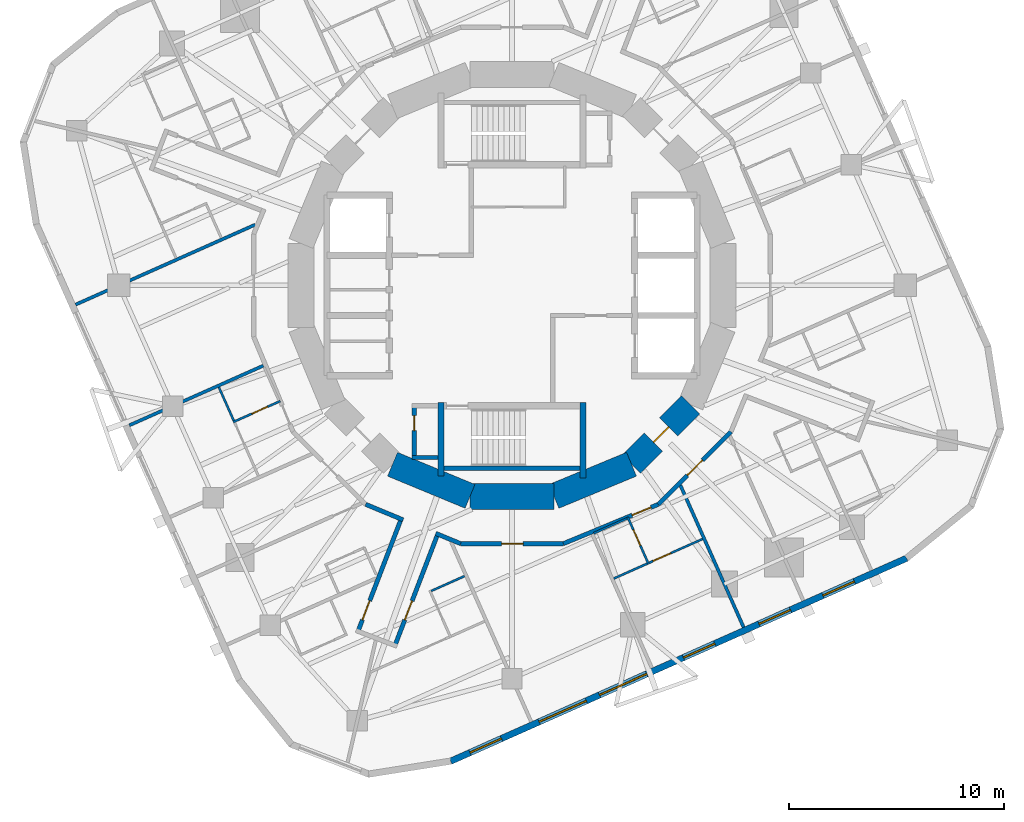
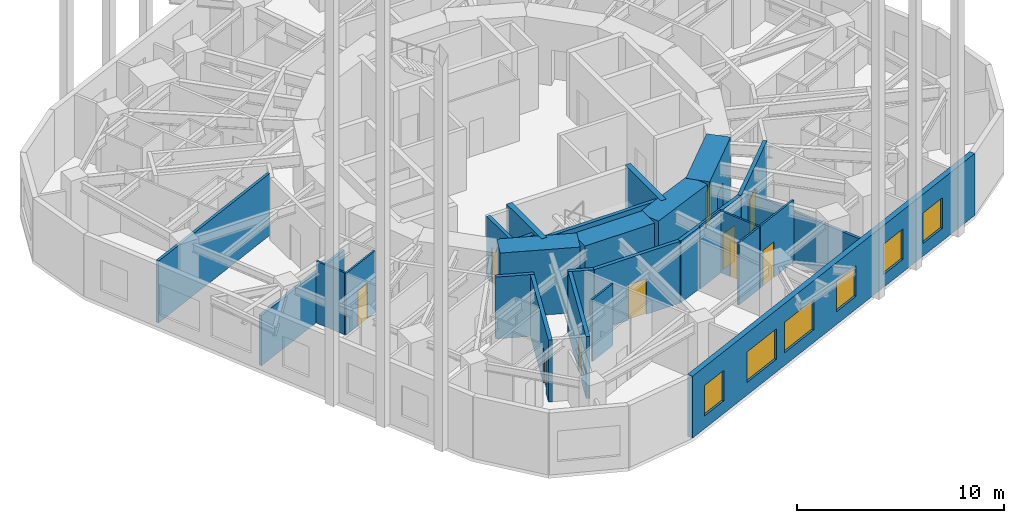
# One storey, part 5 of 11: 27 walls, 10 doors, 6 windows, 16 openings.
"""IFC4 building model written with IfcOpenShell, lengths in metres."""

import ifcopenshell
import ifcopenshell.guid

model = None  # the IFC model being written
_history = None  # IfcOwnerHistory: only IFC2X3 demands one
_inside = {}  # id of a spatial element -> (the spatial element, [elements in it])
_under = {}  # id of a project, library or spatial element -> (it, [spatial elements below it])
_declared = {}  # id of a project -> (the project, [libraries it declares])
_typed = {}  # id of a type object -> (the type object, [elements of that type])
_made_of = {}  # id of a material, layer set ... -> (it, [elements and type objects made of it])


def new_model(schema):
    """Start an empty IFC model of exactly this schema.

    Asked for "IFC4X3", IfcOpenShell would pick the latest addendum, in which some entities
    have other attributes; the version numbers below select the first issue.
    IFC2X3 requires an IfcOwnerHistory on every rooted entity: one is made here for all.
    """
    global model, _history
    if schema == "IFC4X3":
        model = ifcopenshell.file(schema_version=(4, 3, 0, 0))
    else:
        model = ifcopenshell.file(schema=schema)
    _inside.clear()
    _under.clear()
    _declared.clear()
    _typed.clear()
    _made_of.clear()
    _history = None
    if model.schema == "IFC2X3":
        org = make("IfcOrganization", Name="unknown")
        user = make(
            "IfcPersonAndOrganization",
            ThePerson=make("IfcPerson", FamilyName="unknown"),
            TheOrganization=org,
        )
        app = make(
            "IfcApplication",
            ApplicationDeveloper=org,
            Version="unknown",
            ApplicationFullName="unknown",
            ApplicationIdentifier="unknown",
        )
        _history = make(
            "IfcOwnerHistory",
            OwningUser=user,
            OwningApplication=app,
            ChangeAction="ADDED",
            CreationDate=0,
        )
    return model


def make(cls, **values):
    """One entity of the class cls with the attributes given. An attribute that is None is left unset."""
    return model.create_entity(
        cls, **{name: value for name, value in values.items() if value is not None}
    )


def rooted(cls, **values):
    """An entity with a GlobalId (a new one), such as an element, a storey or a relation."""
    return make(cls, GlobalId=ifcopenshell.guid.new(), OwnerHistory=_history, **values)


def si_unit(unit_type, name, prefix=None):
    """IfcSIUnit, for example si_unit("LENGTHUNIT", "METRE", prefix="MILLI")."""
    return make("IfcSIUnit", UnitType=unit_type, Prefix=prefix, Name=name)


def assignment(units):
    """IfcUnitAssignment: the units of a project."""
    return None if units is None else make("IfcUnitAssignment", Units=units)


def point(xyz):
    """IfcCartesianPoint."""
    return None if xyz is None else make("IfcCartesianPoint", Coordinates=xyz)


def direction(xyz):
    """IfcDirection."""
    return None if xyz is None else make("IfcDirection", DirectionRatios=xyz)


def frame(location, z_axis=None, x_axis=None):
    """IfcAxis2Placement3D, a coordinate frame: its origin and axes. An axis left out is left unset."""
    return make(
        "IfcAxis2Placement3D",
        Location=point(location),
        Axis=direction(z_axis),
        RefDirection=direction(x_axis),
    )


def frame_2d(location, x_axis=None):
    """IfcAxis2Placement2D, a coordinate frame in the plane: its origin and x axis."""
    return make(
        "IfcAxis2Placement2D", Location=point(location), RefDirection=direction(x_axis)
    )


def origin():
    """The frame at (0, 0, 0) with its axes left unset."""
    return frame((0.0, 0.0, 0.0))


def place(relative_to, where):
    """IfcLocalPlacement: puts the frame where relative to a parent placement (None: the world)."""
    return make(
        "IfcLocalPlacement", PlacementRelTo=relative_to, RelativePlacement=where
    )


def context(
    kind, dimensions, precision=None, world=None, true_north=None, identifier=None
):
    """IfcGeometricRepresentationContext, for example the 3D "Model" context."""
    return make(
        "IfcGeometricRepresentationContext",
        ContextIdentifier=identifier,
        ContextType=kind,
        CoordinateSpaceDimension=dimensions,
        Precision=precision,
        WorldCoordinateSystem=world,
        TrueNorth=true_north,
    )


def subcontext(parent, identifier, kind, view, scale=None):
    """IfcGeometricRepresentationSubContext, for example "Body" below "Model"."""
    return make(
        "IfcGeometricRepresentationSubContext",
        ContextIdentifier=identifier,
        ContextType=kind,
        ParentContext=parent,
        TargetScale=scale,
        TargetView=view,
    )


def project(units=None, contexts=None):
    """IfcProject with its units and contexts."""
    return rooted(
        "IfcProject",
        Name="project",
        RepresentationContexts=contexts,
        UnitsInContext=assignment(units),
    )


def spatial(cls, under=None, at=None, **own):
    """A site, building, storey or space (cls), placed at a placement, below another one or the project."""
    s = rooted(cls, ObjectPlacement=at, **own)
    if under is not None:
        _under.setdefault(under.id(), (under, []))[1].append(s)
    return s


def profile(cls, at=None, kind="AREA", **sizes):
    """A parametric profile (cls). Its sizes go by their IFC names, for example OverallWidth=200.0."""
    return make(cls, ProfileType=kind, Position=at, **sizes)


def rectangle(**sizes):
    """IfcRectangleProfileDef."""
    return profile("IfcRectangleProfileDef", **sizes)


def extrude(swept, where, along, depth):
    """IfcExtrudedAreaSolid: the profile swept, set in the frame where, extruded along a direction by depth."""
    return make(
        "IfcExtrudedAreaSolid",
        SweptArea=swept,
        Position=where,
        ExtrudedDirection=direction(along),
        Depth=depth,
    )


def shape(context_of_items, identifier, shape_type, items):
    """IfcShapeRepresentation: the items that make up one representation, for example the "Body"."""
    return make(
        "IfcShapeRepresentation",
        ContextOfItems=context_of_items,
        RepresentationIdentifier=identifier,
        RepresentationType=shape_type,
        Items=items,
    )


def material(Name=None, Category=None):
    """IfcMaterial."""
    return make("IfcMaterial", Name=Name, Category=Category)


def layer(
    of_material, thickness, ventilated=None, Name=None, Category=None, Priority=None
):
    """IfcMaterialLayer: one layer of a wall or slab, of a material (None: an air gap)."""
    return make(
        "IfcMaterialLayer",
        Material=of_material,
        LayerThickness=thickness,
        IsVentilated=ventilated,
        Name=Name,
        Category=Category,
        Priority=Priority,
    )


def layer_set(layers, Name=None):
    """IfcMaterialLayerSet."""
    return make("IfcMaterialLayerSet", MaterialLayers=layers, LayerSetName=Name)


def made_of(thing, what):
    """Note that an element or type object is made of a material, layer set ...; save() writes the relation."""
    if what is not None:
        _made_of.setdefault(what.id(), (what, []))[1].append(thing)
    return thing


def type_object(cls, material=None, **own):
    """A type object (cls), such as IfcWallType, which elements share."""
    return made_of(rooted(cls, **own), material)


def element(
    cls,
    number,
    at=None,
    inside=None,
    cuts=None,
    type_object=None,
    material=None,
    context=None,
    identifier="Body",
    shape_type=None,
    held_by="IfcProductDefinitionShape",
    body=None,
    shapes=None,
    **own,
):
    """One element of the class cls, such as IfcWall. Its Tag is "e" and its number.

    at: its placement. inside: the storey or other place that contains it. cuts: it is an
    opening in that element (IfcRelVoidsElement). A single representation is given by context,
    identifier, shape_type and body (its items); several are given by shapes. held_by: the class
    of the entity that holds the representations. save() writes the other relations.
    """
    e = rooted(cls, Tag="e%d" % number, ObjectPlacement=at, **own)
    if body is not None:
        shapes = [shape(context, identifier, shape_type, body)]
    if shapes is not None:
        e.Representation = make(held_by, Representations=shapes)
    if inside is not None:
        _inside.setdefault(inside.id(), (inside, []))[1].append(e)
    if cuts is not None:
        rooted(
            "IfcRelVoidsElement", RelatingBuildingElement=cuts, RelatedOpeningElement=e
        )
    if type_object is not None:
        _typed.setdefault(type_object.id(), (type_object, []))[1].append(e)
    return made_of(e, material)


def fill(opening, filler):
    """IfcRelFillsElement: the door or window that sits in an opening."""
    return rooted(
        "IfcRelFillsElement",
        RelatingOpeningElement=opening,
        RelatedBuildingElement=filler,
    )


def aggregate(whole, parts):
    """IfcRelAggregates: a whole, such as a stair, and the parts it consists of."""
    return rooted("IfcRelAggregates", RelatingObject=whole, RelatedObjects=parts)


def save(model, path):
    """Write the relations noted so far, then the file.

    IfcRelAggregates (storeys below a building ...), IfcRelContainedInSpatialStructure (elements
    in a storey), IfcRelDefinesByType, IfcRelAssociatesMaterial and IfcRelDeclares: one each for
    every whole, place, type object, material and project.
    """
    for whole, parts in _under.values():
        aggregate(whole, parts)
    for where, things in _inside.values():
        rooted(
            "IfcRelContainedInSpatialStructure",
            RelatedElements=things,
            RelatingStructure=where,
        )
    for kind, things in _typed.values():
        rooted("IfcRelDefinesByType", RelatedObjects=things, RelatingType=kind)
    for what, things in _made_of.values():
        rooted("IfcRelAssociatesMaterial", RelatedObjects=things, RelatingMaterial=what)
    for by, libraries in _declared.values():
        rooted("IfcRelDeclares", RelatingContext=by, RelatedDefinitions=libraries)
    model.write(path)


model = new_model("IFC4")

# Units and contexts
model_context = context("Model", 3, precision=1e-05, world=origin(), true_north=direction((0.0, 1.0)))
body_context = subcontext(model_context, "Body", "Model", "MODEL_VIEW")
ifc_project = project(units=[si_unit("LENGTHUNIT", "METRE"), si_unit("AREAUNIT", "SQUARE_METRE"), si_unit("VOLUMEUNIT", "CUBIC_METRE"), si_unit("PLANEANGLEUNIT", "RADIAN"), si_unit("MASSUNIT", "GRAM", prefix="KILO")], contexts=[model_context])

# Site, building, storey
site_placement = place(None, origin())
site = spatial("IfcSite", under=ifc_project, at=site_placement, CompositionType="ELEMENT")
building_placement = place(site_placement, origin())
building = spatial("IfcBuilding", under=site, at=building_placement, Name="Nakasero Lantern House", CompositionType="ELEMENT")
storey_placement = place(building_placement, frame((0.0, 0.0, 182.449951171875)))
storey = spatial("IfcBuildingStorey", under=building, at=storey_placement, Name="L44", CompositionType="ELEMENT", Elevation=182.449951171875)

# Walls
ifc_material_1 = material(Name="Concrete C50/60", Category="concrete")
ifc_layer_1 = layer(ifc_material_1, 0.300048828125)
ifc_layer_set_1 = layer_set([ifc_layer_1], Name="Core inner wall 300")
wall_type_1 = type_object("IfcWallType", Name="Core inner wall 300", PredefinedType="SHEAR", material=ifc_layer_set_1)
wall_1_placement = place(storey_placement, frame((-3.300048828125, -5.449951171875, 0.0), z_axis=(0.0, 0.0, 1.0), x_axis=(0.0, -1.0, 0.0)))
element("IfcWall", 1, at=wall_1_placement, inside=storey, type_object=wall_type_1, Name="Core inner wall L44 SSW", PredefinedType="SHEAR", context=body_context, shape_type="SweptSolid", body=[
    extrude(rectangle(XDim=3.400146484375, YDim=0.300048828125, at=frame_2d((1.7001953125, 0.0))), origin(), (0.0, 0.0, 1.0), 3.85009765625),
])
wall_2_placement = place(storey_placement, frame((3.300048828125, -5.449951171875, 0.0), z_axis=(0.0, 0.0, 1.0), x_axis=(0.0, -1.0, 0.0)))
element("IfcWall", 2, at=wall_2_placement, inside=storey, type_object=wall_type_1, Name="Core inner wall L44 SSE", PredefinedType="SHEAR", context=body_context, shape_type="SweptSolid", body=[
    extrude(rectangle(XDim=3.5, YDim=0.300048828125, at=frame_2d((1.75, 0.0))), origin(), (0.0, 0.0, 1.0), 3.85009765625),
])
ifc_material_2 = material(Name="Concrete C50/60", Category="concrete")
ifc_layer_2 = layer(ifc_material_2, 1.199951171875)
ifc_layer_set_2 = layer_set([ifc_layer_2], Name="Core wall 1200")
wall_type_2 = type_object("IfcWallType", Name="Core wall 1200", PredefinedType="SHEAR", material=ifc_layer_set_2)
for number, where, z_axis, x_axis, name in (
    (3, (-5.5556640625, -8.314697265625, 0.0), (0.0, 0.0, 1.0), (0.923876507187, -0.382690736062, 0.0), "Core wall L44 facet 11"),
    (4, (-1.950927734375, -9.807861328125, 0.0), (0.0, 0.0, 1.0), (1.0, 0.0, 0.0), "Core wall L44 facet 12"),
    (5, (1.950927734375, -9.807861328125, 0.0), (0.0, 0.0, 1.0), (0.923876507187, 0.382690736062, 0.0), "Core wall L44 facet 13"),
):
    element("IfcWall", number, at=place(storey_placement, frame(where, z_axis=z_axis, x_axis=x_axis)), inside=storey, type_object=wall_type_2, Name=name, PredefinedType="SHEAR", context=body_context, shape_type="SweptSolid", body=[
        extrude(rectangle(XDim=3.90185546875, YDim=1.199951171875, at=frame_2d((1.950927734375, 0.0))), origin(), (0.0, 0.0, 1.0), 3.85009765625),
    ])

# Wall, opening, door
wall_3_placement = place(storey_placement, frame((5.5556640625, -8.314697265625, 0.0), z_axis=(0.0, 0.0, 1.0), x_axis=(0.707106781187, 0.707106781187, 0.0)))
wall_3 = element("IfcWall", 6, at=wall_3_placement, inside=storey, type_object=wall_type_2, Name="Core wall L44 facet 14", PredefinedType="SHEAR", context=body_context, shape_type="SweptSolid", body=[
    extrude(rectangle(XDim=3.90185546875, YDim=1.199951171875, at=frame_2d((1.950927734375, 0.0))), origin(), (0.0, 0.0, 1.0), 3.85009765625),
])
opening_1_placement = place(wall_3_placement, frame((1.450927734375, 0.0, 0.0)))
opening_1 = element("IfcOpeningElement", 7, at=opening_1_placement, cuts=wall_3, Name="Opening D05", PredefinedType="OPENING", context=body_context, shape_type="SweptSolid", body=[
    extrude(rectangle(XDim=1.0, YDim=2.10009765625, at=frame_2d((0.5, 1.050048828125))), frame((0.0, 0.619873046875, 0.0), z_axis=(0.0, -1.0, 0.0), x_axis=(1.0, 0.0, 0.0)), (0.0, 0.0, 1.0), 1.239990234375),
])
ifc_material_3 = material(Name="Timber C24", Category="wood")
door_type_1 = type_object("IfcDoorType", Name="Core door FD60S 1000", OperationType="SINGLE_SWING_LEFT", PredefinedType="DOOR", material=ifc_material_3)
door_1_placement = place(opening_1_placement, origin())
door_1 = element("IfcDoor", 8, at=door_1_placement, inside=storey, type_object=door_type_1, Name="Door L44 D-CORE14", OperationType="SINGLE_SWING_LEFT", OverallHeight=2.10009765625, OverallWidth=1.0, PredefinedType="DOOR", context=body_context, shape_type="SweptSolid", body=[
    extrude(rectangle(XDim=1.0, YDim=2.10009765625, at=frame_2d((0.5, 1.050048828125))), frame((0.0, 0.02490234375, 0.0), z_axis=(0.0, -1.0, 0.0), x_axis=(1.0, 0.0, 0.0)), (0.0, 0.0, 1.0), 0.050048828125),
])
fill(opening_1, door_1)

ifc_material_4 = material(Name="Blockwork", Category="masonry")
ifc_layer_3 = layer(ifc_material_4, 0.199951171875)
ifc_layer_set_3 = layer_set([ifc_layer_3], Name="Corridor wall 200")
wall_type_3 = type_object("IfcWallType", Name="Corridor wall 200", PredefinedType="PARTITIONING", material=ifc_layer_set_3)
wall_4_placement = place(storey_placement, frame((10.1796875, -6.802001953125, 0.0), z_axis=(0.0, 0.0, 1.0), x_axis=(-0.707106781187, -0.707106781187, 0.0)))
wall_4 = element("IfcWall", 9, at=wall_4_placement, inside=storey, type_object=wall_type_3, Name="Corridor wall L44 RC02a", PredefinedType="PARTITIONING", context=body_context, shape_type="SweptSolid", body=[
    extrude(rectangle(XDim=4.77685546875, YDim=0.199951171875, at=frame_2d((2.388427734375, 0.0))), origin(), (0.0, 0.0, 1.0), 3.650146484375),
])
opening_2_placement = place(wall_4_placement, frame((1.8701171875, 0.0, 0.0)))
opening_2 = element("IfcOpeningElement", 10, at=opening_2_placement, cuts=wall_4, Name="Opening D14", PredefinedType="OPENING", context=body_context, shape_type="SweptSolid", body=[
    extrude(rectangle(XDim=1.0, YDim=2.10009765625, at=frame_2d((0.5, 1.050048828125))), frame((0.0, 0.119873046875, 0.0), z_axis=(0.0, -1.0, 0.0), x_axis=(1.0, 0.0, 0.0)), (0.0, 0.0, 1.0), 0.239990234375),
])
ifc_material_5 = material(Name="Timber C24", Category="wood")
door_type_2 = type_object("IfcDoorType", Name="Cluster entrance door FD30S 1000", OperationType="SINGLE_SWING_LEFT", PredefinedType="DOOR", material=ifc_material_5)
door_2_placement = place(opening_2_placement, origin())
door_2 = element("IfcDoor", 11, at=door_2_placement, inside=storey, type_object=door_type_2, Name="Door L44 D3-04", OperationType="SINGLE_SWING_LEFT", OverallHeight=2.10009765625, OverallWidth=1.0, PredefinedType="DOOR", context=body_context, shape_type="SweptSolid", body=[
    extrude(rectangle(XDim=1.0, YDim=2.10009765625, at=frame_2d((0.5, 1.050048828125))), frame((0.0, 0.02490234375, 0.0), z_axis=(0.0, -1.0, 0.0), x_axis=(1.0, 0.0, 0.0)), (0.0, 0.0, 1.0), 0.050048828125),
])
fill(opening_2, door_2)

wall_5_placement = place(storey_placement, frame((6.802001953125, -10.1796875, 0.0), z_axis=(0.0, 0.0, 1.0), x_axis=(-0.923882292998, -0.382676767893, 0.0)))
wall_5 = element("IfcWall", 12, at=wall_5_placement, inside=storey, type_object=wall_type_3, Name="Corridor wall L44 RC03a", PredefinedType="PARTITIONING", context=body_context, shape_type="SweptSolid", body=[
    extrude(rectangle(XDim=4.777099609375, YDim=0.199951171875, at=frame_2d((2.388671875, 0.0))), origin(), (0.0, 0.0, 1.0), 3.650146484375),
])
opening_3_placement = place(wall_5_placement, frame((0.3701171875, 0.0, 0.0)))
opening_3 = element("IfcOpeningElement", 13, at=opening_3_placement, cuts=wall_5, Name="Opening D01", PredefinedType="OPENING", context=body_context, shape_type="SweptSolid", body=[
    extrude(rectangle(XDim=0.949951171875, YDim=2.10009765625, at=frame_2d((0.47509765625, 1.050048828125))), frame((0.0, 0.119873046875, 0.0), z_axis=(0.0, -1.0, 0.0), x_axis=(1.0, 0.0, 0.0)), (0.0, 0.0, 1.0), 0.239990234375),
])
ifc_material_6 = material(Name="Timber C24", Category="wood")
door_type_3 = type_object("IfcDoorType", Name="Bedroom door FD30S 950", OperationType="SINGLE_SWING_LEFT", PredefinedType="DOOR", material=ifc_material_6)
door_3_placement = place(opening_3_placement, origin())
door_3 = element("IfcDoor", 14, at=door_3_placement, inside=storey, type_object=door_type_3, Name="Door L44 D3-03", OperationType="SINGLE_SWING_LEFT", OverallHeight=2.10009765625, OverallWidth=0.949951171875, PredefinedType="DOOR", context=body_context, shape_type="SweptSolid", body=[
    extrude(rectangle(XDim=0.949951171875, YDim=2.10009765625, at=frame_2d((0.47509765625, 1.050048828125))), frame((0.0, 0.02490234375, 0.0), z_axis=(0.0, -1.0, 0.0), x_axis=(1.0, 0.0, 0.0)), (0.0, 0.0, 1.0), 0.050048828125),
])
fill(opening_3, door_3)

wall_6_placement = place(storey_placement, frame((2.388427734375, -12.0078125, 0.0), z_axis=(0.0, 0.0, 1.0), x_axis=(-1.0, 0.0, 0.0)))
wall_6 = element("IfcWall", 15, at=wall_6_placement, inside=storey, type_object=wall_type_3, Name="Corridor wall L44 RC04a", PredefinedType="PARTITIONING", context=body_context, shape_type="SweptSolid", body=[
    extrude(rectangle(XDim=4.77685546875, YDim=0.199951171875, at=frame_2d((2.388427734375, 0.0))), origin(), (0.0, 0.0, 1.0), 3.650146484375),
])
opening_4_placement = place(wall_6_placement, frame((1.8701171875, 0.0, 0.0)))
opening_4 = element("IfcOpeningElement", 16, at=opening_4_placement, cuts=wall_6, Name="Opening D03", PredefinedType="OPENING", context=body_context, shape_type="SweptSolid", body=[
    extrude(rectangle(XDim=1.0, YDim=2.10009765625, at=frame_2d((0.5, 1.050048828125))), frame((0.0, 0.119873046875, 0.0), z_axis=(0.0, -1.0, 0.0), x_axis=(1.0, 0.0, 0.0)), (0.0, 0.0, 1.0), 0.239990234375),
])
ifc_material_7 = material(Name="Timber C24", Category="wood")
door_type_4 = type_object("IfcDoorType", Name="Lounge door FD30S 1000", OperationType="SINGLE_SWING_LEFT", PredefinedType="DOOR", material=ifc_material_7)
door_4_placement = place(opening_4_placement, origin())
door_4 = element("IfcDoor", 17, at=door_4_placement, inside=storey, type_object=door_type_4, Name="Door L44 DK3", OperationType="SINGLE_SWING_LEFT", OverallHeight=2.10009765625, OverallWidth=1.0, PredefinedType="DOOR", context=body_context, shape_type="SweptSolid", body=[
    extrude(rectangle(XDim=1.0, YDim=2.10009765625, at=frame_2d((0.5, 1.050048828125))), frame((0.0, 0.02490234375, 0.0), z_axis=(0.0, -1.0, 0.0), x_axis=(1.0, 0.0, 0.0)), (0.0, 0.0, 1.0), 0.050048828125),
])
fill(opening_4, door_4)

# Walls
wall_7_placement = place(storey_placement, frame((-2.388427734375, -12.0078125, 0.0), z_axis=(0.0, 0.0, 1.0), x_axis=(-0.923910050561, 0.382609746966, 0.0)))
element("IfcWall", 18, at=wall_7_placement, inside=storey, type_object=wall_type_3, Name="Corridor wall L44 RC05a", PredefinedType="PARTITIONING", context=body_context, shape_type="SweptSolid", body=[
    extrude(rectangle(XDim=1.25390625, YDim=0.199951171875, at=frame_2d((0.626953125, 0.0))), origin(), (0.0, 0.0, 1.0), 3.650146484375),
])
wall_8_placement = place(storey_placement, frame((-5.0625, -10.900146484375, 0.0), z_axis=(0.0, 0.0, 1.0), x_axis=(-0.923891984969, 0.38265336809, 0.0)))
element("IfcWall", 19, at=wall_8_placement, inside=storey, type_object=wall_type_3, Name="Corridor wall L44 RC05b", PredefinedType="PARTITIONING", context=body_context, shape_type="SweptSolid", body=[
    extrude(rectangle(XDim=1.8828125, YDim=0.199951171875, at=frame_2d((0.94140625, 0.0))), origin(), (0.0, 0.0, 1.0), 3.650146484375),
])

# Wall, opening, door
wall_9_placement = place(storey_placement, frame((-5.155029296875, -10.862060546875, 0.0), z_axis=(0.0, 0.0, 1.0), x_axis=(-0.35837805422, -0.933576547613, 0.0)))
wall_9 = element("IfcWall", 20, at=wall_9_placement, inside=storey, type_object=wall_type_3, Name="Corridor wall L44 SP2a", PredefinedType="PARTITIONING", context=body_context, shape_type="SweptSolid", body=[
    extrude(rectangle(XDim=5.689697265625, YDim=0.199951171875, at=frame_2d((2.8447265625, 0.0))), origin(), (0.0, 0.0, 1.0), 3.650146484375),
])
opening_5_placement = place(wall_9_placement, frame((4.070068359375, 0.0, 0.0)))
opening_5 = element("IfcOpeningElement", 21, at=opening_5_placement, cuts=wall_9, Name="Opening D01", PredefinedType="OPENING", context=body_context, shape_type="SweptSolid", body=[
    extrude(rectangle(XDim=0.949951171875, YDim=2.10009765625, at=frame_2d((0.47509765625, 1.050048828125))), frame((0.0, 0.119873046875, 0.0), z_axis=(0.0, -1.0, 0.0), x_axis=(1.0, 0.0, 0.0)), (0.0, 0.0, 1.0), 0.239990234375),
])
door_5_placement = place(opening_5_placement, origin())
door_5 = element("IfcDoor", 22, at=door_5_placement, inside=storey, type_object=door_type_3, Name="Door L44 D2-06", OperationType="SINGLE_SWING_RIGHT", OverallHeight=2.10009765625, OverallWidth=0.949951171875, PredefinedType="DOOR", context=body_context, shape_type="SweptSolid", body=[
    extrude(rectangle(XDim=0.949951171875, YDim=2.10009765625, at=frame_2d((0.47509765625, 1.050048828125))), frame((0.0, 0.02490234375, 0.0), z_axis=(0.0, -1.0, 0.0), x_axis=(1.0, 0.0, 0.0)), (0.0, 0.0, 1.0), 0.050048828125),
])
fill(opening_5, door_5)

wall_10_placement = place(storey_placement, frame((-3.454345703125, -11.56640625, 0.0), z_axis=(0.0, 0.0, 1.0), x_axis=(-0.358401938933, -0.933567378484, 0.0)))
wall_10 = element("IfcWall", 23, at=wall_10_placement, inside=storey, type_object=wall_type_3, Name="Corridor wall L44 SP2b", PredefinedType="PARTITIONING", context=body_context, shape_type="SweptSolid", body=[
    extrude(rectangle(XDim=5.6416015625, YDim=0.199951171875, at=frame_2d((2.82080078125, 0.0))), origin(), (0.0, 0.0, 1.0), 3.650146484375),
])
opening_6_placement = place(wall_10_placement, frame((3.320068359375, 0.0, 0.0)))
opening_6 = element("IfcOpeningElement", 24, at=opening_6_placement, cuts=wall_10, Name="Opening D01", PredefinedType="OPENING", context=body_context, shape_type="SweptSolid", body=[
    extrude(rectangle(XDim=0.949951171875, YDim=2.10009765625, at=frame_2d((0.47509765625, 1.050048828125))), frame((0.0, 0.119873046875, 0.0), z_axis=(0.0, -1.0, 0.0), x_axis=(1.0, 0.0, 0.0)), (0.0, 0.0, 1.0), 0.239990234375),
])
door_6_placement = place(opening_6_placement, origin())
door_6 = element("IfcDoor", 25, at=door_6_placement, inside=storey, type_object=door_type_3, Name="Door L44 D3-00", OperationType="SINGLE_SWING_RIGHT", OverallHeight=2.10009765625, OverallWidth=0.949951171875, PredefinedType="DOOR", context=body_context, shape_type="SweptSolid", body=[
    extrude(rectangle(XDim=0.949951171875, YDim=2.10009765625, at=frame_2d((0.47509765625, 1.050048828125))), frame((0.0, 0.02490234375, 0.0), z_axis=(0.0, -1.0, 0.0), x_axis=(1.0, 0.0, 0.0)), (0.0, 0.0, 1.0), 0.050048828125),
])
fill(opening_6, door_6)

ifc_material_8 = material(Name="Blockwork", Category="masonry")
ifc_layer_4 = layer(ifc_material_8, 0.10009765625)
ifc_layer_set_4 = layer_set([ifc_layer_4], Name="En-suite wall 100")
wall_type_4 = type_object("IfcWallType", Name="En-suite wall 100", PredefinedType="PARTITIONING", material=ifc_layer_set_4)
wall_11_placement = place(storey_placement, frame((-10.7685546875, -5.376953125, 0.0), z_axis=(0.0, 0.0, 1.0), x_axis=(-0.913568090055, -0.406685806039, 0.0)))
wall_11 = element("IfcWall", 26, at=wall_11_placement, inside=storey, type_object=wall_type_4, Name="En-suite wall L44 ES2-03", PredefinedType="PARTITIONING", context=body_context, shape_type="SweptSolid", body=[
    extrude(rectangle(XDim=2.400146484375, YDim=0.10009765625, at=frame_2d((1.2001953125, 0.0))), origin(), (0.0, 0.0, 1.0), 3.650146484375),
])
opening_7_placement = place(wall_11_placement, frame((0.64990234375, 0.0, 0.0)))
opening_7 = element("IfcOpeningElement", 27, at=opening_7_placement, cuts=wall_11, Name="Opening D02", PredefinedType="OPENING", context=body_context, shape_type="SweptSolid", body=[
    extrude(rectangle(XDim=0.800048828125, YDim=2.10009765625, at=frame_2d((0.39990234375, 1.050048828125))), frame((0.0, 0.070068359375, 0.0), z_axis=(0.0, -1.0, 0.0), x_axis=(1.0, 0.0, 0.0)), (0.0, 0.0, 1.0), 0.14013671875),
])
ifc_material_9 = material(Name="Timber C24", Category="wood")
door_type_5 = type_object("IfcDoorType", Name="En-suite door 800", OperationType="SINGLE_SWING_RIGHT", PredefinedType="DOOR", material=ifc_material_9)
door_7_placement = place(opening_7_placement, origin())
door_7 = element("IfcDoor", 28, at=door_7_placement, inside=storey, type_object=door_type_5, Name="Door L44 DE2-03", OperationType="SINGLE_SWING_LEFT", OverallHeight=2.10009765625, OverallWidth=0.800048828125, PredefinedType="DOOR", context=body_context, shape_type="SweptSolid", body=[
    extrude(rectangle(XDim=0.800048828125, YDim=2.10009765625, at=frame_2d((0.39990234375, 1.050048828125))), frame((0.0, 0.02490234375, 0.0), z_axis=(0.0, -1.0, 0.0), x_axis=(1.0, 0.0, 0.0)), (0.0, 0.0, 1.0), 0.050048828125),
])
fill(opening_7, door_7)

# Walls
for number, where, z_axis, x_axis, name in (
    (29, (-13.627197265625, -4.734130859375, 0.0), (0.0, 0.0, 1.0), (0.406724697108, -0.913550776237, 0.0), "En-suite wall L44 EE2-03"),
    (30, (-3.7568359375, -14.206298828125, 0.0), (0.0, 0.0, 1.0), (0.913550776237, 0.406724697108, 0.0), "En-suite wall L44 EI3-00"),
):
    element("IfcWall", number, at=place(storey_placement, frame(where, z_axis=z_axis, x_axis=x_axis)), inside=storey, type_object=wall_type_4, Name=name, PredefinedType="PARTITIONING", context=body_context, shape_type="SweptSolid", body=[
        extrude(rectangle(XDim=1.699951171875, YDim=0.10009765625, at=frame_2d((0.85009765625, 0.0))), origin(), (0.0, 0.0, 1.0), 3.650146484375),
    ])

# Wall, opening, door
wall_12_placement = place(storey_placement, frame((5.376953125, -10.7685546875, 0.0), z_axis=(0.0, 0.0, 1.0), x_axis=(0.406685806039, -0.913568090055, 0.0)))
wall_12 = element("IfcWall", 31, at=wall_12_placement, inside=storey, type_object=wall_type_4, Name="En-suite wall L44 ES3-03", PredefinedType="PARTITIONING", context=body_context, shape_type="SweptSolid", body=[
    extrude(rectangle(XDim=2.400146484375, YDim=0.10009765625, at=frame_2d((1.2001953125, 0.0))), origin(), (0.0, 0.0, 1.0), 3.650146484375),
])
opening_8_placement = place(wall_12_placement, frame((0.64990234375, 0.0, 0.0)))
opening_8 = element("IfcOpeningElement", 32, at=opening_8_placement, cuts=wall_12, Name="Opening D02", PredefinedType="OPENING", context=body_context, shape_type="SweptSolid", body=[
    extrude(rectangle(XDim=0.800048828125, YDim=2.10009765625, at=frame_2d((0.39990234375, 1.050048828125))), frame((0.0, 0.070068359375, 0.0), z_axis=(0.0, -1.0, 0.0), x_axis=(1.0, 0.0, 0.0)), (0.0, 0.0, 1.0), 0.14013671875),
])
door_8_placement = place(opening_8_placement, origin())
door_8 = element("IfcDoor", 33, at=door_8_placement, inside=storey, type_object=door_type_5, Name="Door L44 DE3-03", OperationType="SINGLE_SWING_LEFT", OverallHeight=2.10009765625, OverallWidth=0.800048828125, PredefinedType="DOOR", context=body_context, shape_type="SweptSolid", body=[
    extrude(rectangle(XDim=0.800048828125, YDim=2.10009765625, at=frame_2d((0.39990234375, 1.050048828125))), frame((0.0, 0.02490234375, 0.0), z_axis=(0.0, -1.0, 0.0), x_axis=(1.0, 0.0, 0.0)), (0.0, 0.0, 1.0), 0.050048828125),
])
fill(opening_8, door_8)

# Walls
for number, where, z_axis, x_axis, name in (
    (34, (4.734130859375, -13.627197265625, 0.0), (0.0, 0.0, 1.0), (0.913550776237, 0.406724697108, 0.0), "En-suite wall L44 EE3-03"),
    (35, (3.798583984375, -11.526123046875, 0.0), (0.0, 0.0, 1.0), (0.913550776237, 0.406724697108, 0.0), "En-suite wall L44 EI3-03"),
):
    element("IfcWall", number, at=place(storey_placement, frame(where, z_axis=z_axis, x_axis=x_axis)), inside=storey, type_object=wall_type_4, Name=name, PredefinedType="PARTITIONING", context=body_context, shape_type="SweptSolid", body=[
        extrude(rectangle(XDim=1.699951171875, YDim=0.10009765625, at=frame_2d((0.85009765625, 0.0))), origin(), (0.0, 0.0, 1.0), 3.650146484375),
    ])

# Wall, opening, door
wall_13_placement = place(storey_placement, frame((6.37841796875, -12.89501953125, 0.0), z_axis=(0.0, 0.0, 1.0), x_axis=(0.913577816281, 0.406663956603, 0.0)))
wall_13 = element("IfcWall", 36, at=wall_13_placement, inside=storey, type_object=wall_type_4, Name="En-suite wall L44 EL3-03", PredefinedType="PARTITIONING", context=body_context, shape_type="SweptSolid", body=[
    extrude(rectangle(XDim=2.71533203125, YDim=0.10009765625, at=frame_2d((1.357666015625, 0.0))), origin(), (0.0, 0.0, 1.0), 3.650146484375),
])
opening_9_placement = place(wall_13_placement, frame((0.199951171875, 0.0, 0.0)))
opening_9 = element("IfcOpeningElement", 37, at=opening_9_placement, cuts=wall_13, Name="Opening D17", PredefinedType="OPENING", context=body_context, shape_type="SweptSolid", body=[
    extrude(rectangle(XDim=0.89990234375, YDim=2.10009765625, at=frame_2d((0.449951171875, 1.050048828125))), frame((0.0, 0.070068359375, 0.0), z_axis=(0.0, -1.0, 0.0), x_axis=(1.0, 0.0, 0.0)), (0.0, 0.0, 1.0), 0.14013671875),
])
ifc_material_10 = material(Name="Timber C24", Category="wood")
door_type_6 = type_object("IfcDoorType", Name="Bedroom door FD30S 900", OperationType="SINGLE_SWING_LEFT", PredefinedType="DOOR", material=ifc_material_10)
door_9_placement = place(opening_9_placement, origin())
door_9 = element("IfcDoor", 38, at=door_9_placement, inside=storey, type_object=door_type_6, Name="Door L44 DL3-03", OperationType="SINGLE_SWING_LEFT", OverallHeight=2.10009765625, OverallWidth=0.89990234375, PredefinedType="DOOR", context=body_context, shape_type="SweptSolid", body=[
    extrude(rectangle(XDim=0.89990234375, YDim=2.10009765625, at=frame_2d((0.449951171875, 1.050048828125))), frame((0.0, 0.02490234375, 0.0), z_axis=(0.0, -1.0, 0.0), x_axis=(1.0, 0.0, 0.0)), (0.0, 0.0, 1.0), 0.050048828125),
])
fill(opening_9, door_9)

# Wall, openings, windows
ifc_material_11 = material(Name="Aluminium rainscreen on blockwork", Category="masonry")
ifc_layer_5 = layer(ifc_material_11, 0.300048828125)
ifc_layer_set_5 = layer_set([ifc_layer_5], Name="Facade wall 300")
wall_type_5 = type_object("IfcWallType", Name="Facade wall 300", PredefinedType="SOLIDWALL", material=ifc_layer_set_5)
wall_14_placement = place(storey_placement, frame((-2.848876953125, -22.12109375, 0.0), z_axis=(0.0, 0.0, 1.0), x_axis=(0.913546210851, 0.406734951338, 0.0)))
wall_14 = element("IfcWall", 39, at=wall_14_placement, inside=storey, type_object=wall_type_5, Name="Facade wall L44 FW3S", PredefinedType="SOLIDWALL", context=body_context, shape_type="SweptSolid", body=[
    extrude(rectangle(XDim=23.199951171875, YDim=0.300048828125, at=frame_2d((11.60009765625, 0.0))), origin(), (0.0, 0.0, 1.0), 3.650146484375),
])
opening_10_placement = place(wall_14_placement, frame((0.982421875, 0.0, 0.75)))
opening_10 = element("IfcOpeningElement", 40, at=opening_10_placement, cuts=wall_14, Name="Opening W01", PredefinedType="OPENING", context=body_context, shape_type="SweptSolid", body=[
    extrude(rectangle(XDim=1.60009765625, YDim=1.800048828125, at=frame_2d((0.800048828125, 0.89990234375))), frame((0.0, 0.169921875, 0.0), z_axis=(0.0, -1.0, 0.0), x_axis=(1.0, 0.0, 0.0)), (0.0, 0.0, 1.0), 0.340087890625),
])
opening_11_placement = place(wall_14_placement, frame((11.83984375, 0.0, 0.75)))
opening_11 = element("IfcOpeningElement", 41, at=opening_11_placement, cuts=wall_14, Name="Opening W01", PredefinedType="OPENING", context=body_context, shape_type="SweptSolid", body=[
    extrude(rectangle(XDim=1.60009765625, YDim=1.800048828125, at=frame_2d((0.800048828125, 0.89990234375))), frame((0.0, 0.169921875, 0.0), z_axis=(0.0, -1.0, 0.0), x_axis=(1.0, 0.0, 0.0)), (0.0, 0.0, 1.0), 0.340087890625),
])
opening_12_placement = place(wall_14_placement, frame((15.69140625, 0.0, 0.75)))
opening_12 = element("IfcOpeningElement", 42, at=opening_12_placement, cuts=wall_14, Name="Opening W01", PredefinedType="OPENING", context=body_context, shape_type="SweptSolid", body=[
    extrude(rectangle(XDim=1.60009765625, YDim=1.800048828125, at=frame_2d((0.800048828125, 0.89990234375))), frame((0.0, 0.169921875, 0.0), z_axis=(0.0, -1.0, 0.0), x_axis=(1.0, 0.0, 0.0)), (0.0, 0.0, 1.0), 0.340087890625),
])
opening_13_placement = place(wall_14_placement, frame((18.940185546875, 0.0, 0.75)))
opening_13 = element("IfcOpeningElement", 43, at=opening_13_placement, cuts=wall_14, Name="Opening W01", PredefinedType="OPENING", context=body_context, shape_type="SweptSolid", body=[
    extrude(rectangle(XDim=1.60009765625, YDim=1.800048828125, at=frame_2d((0.800048828125, 0.89990234375))), frame((0.0, 0.169921875, 0.0), z_axis=(0.0, -1.0, 0.0), x_axis=(1.0, 0.0, 0.0)), (0.0, 0.0, 1.0), 0.340087890625),
])
opening_14_placement = place(wall_14_placement, frame((4.500244140625, 0.0, 0.75)))
opening_14 = element("IfcOpeningElement", 44, at=opening_14_placement, cuts=wall_14, Name="Opening W03", PredefinedType="OPENING", context=body_context, shape_type="SweptSolid", body=[
    extrude(rectangle(XDim=2.39990234375, YDim=1.800048828125, at=frame_2d((1.199951171875, 0.89990234375))), frame((0.0, 0.169921875, 0.0), z_axis=(0.0, -1.0, 0.0), x_axis=(1.0, 0.0, 0.0)), (0.0, 0.0, 1.0), 0.340087890625),
])
opening_15_placement = place(wall_14_placement, frame((7.571533203125, 0.0, 0.75)))
opening_15 = element("IfcOpeningElement", 45, at=opening_15_placement, cuts=wall_14, Name="Opening W03", PredefinedType="OPENING", context=body_context, shape_type="SweptSolid", body=[
    extrude(rectangle(XDim=2.39990234375, YDim=1.800048828125, at=frame_2d((1.199951171875, 0.89990234375))), frame((0.0, 0.169921875, 0.0), z_axis=(0.0, -1.0, 0.0), x_axis=(1.0, 0.0, 0.0)), (0.0, 0.0, 1.0), 0.340087890625),
])
ifc_material_12 = material(Name="Aluminium 6063-T6 and glass", Category="aluminium")
window_type_1 = type_object("IfcWindowType", Name="Bedroom window 1600x1800", PartitioningType="SINGLE_PANEL", PredefinedType="WINDOW", material=ifc_material_12)
window_1_placement = place(opening_10_placement, origin())
window_1 = element("IfcWindow", 46, at=window_1_placement, inside=storey, type_object=window_type_1, Name="Window L44 WN3-00", OverallHeight=1.800048828125, OverallWidth=1.60009765625, PartitioningType="SINGLE_PANEL", PredefinedType="WINDOW", context=body_context, shape_type="SweptSolid", body=[
    extrude(rectangle(XDim=1.60009765625, YDim=1.800048828125, at=frame_2d((0.800048828125, 0.89990234375))), frame((0.0, 0.030029296875, 0.0), z_axis=(0.0, -1.0, 0.0), x_axis=(1.0, 0.0, 0.0)), (0.0, 0.0, 1.0), 0.06005859375),
])
fill(opening_10, window_1)
window_2_placement = place(opening_11_placement, origin())
window_2 = element("IfcWindow", 47, at=window_2_placement, inside=storey, type_object=window_type_1, Name="Window L44 WN3-03", OverallHeight=1.800048828125, OverallWidth=1.60009765625, PartitioningType="SINGLE_PANEL", PredefinedType="WINDOW", context=body_context, shape_type="SweptSolid", body=[
    extrude(rectangle(XDim=1.60009765625, YDim=1.800048828125, at=frame_2d((0.800048828125, 0.89990234375))), frame((0.0, 0.030029296875, 0.0), z_axis=(0.0, -1.0, 0.0), x_axis=(1.0, 0.0, 0.0)), (0.0, 0.0, 1.0), 0.06005859375),
])
fill(opening_11, window_2)
window_3_placement = place(opening_12_placement, origin())
window_3 = element("IfcWindow", 48, at=window_3_placement, inside=storey, type_object=window_type_1, Name="Window L44 WN3-04", OverallHeight=1.800048828125, OverallWidth=1.60009765625, PartitioningType="SINGLE_PANEL", PredefinedType="WINDOW", context=body_context, shape_type="SweptSolid", body=[
    extrude(rectangle(XDim=1.60009765625, YDim=1.800048828125, at=frame_2d((0.800048828125, 0.89990234375))), frame((0.0, 0.030029296875, 0.0), z_axis=(0.0, -1.0, 0.0), x_axis=(1.0, 0.0, 0.0)), (0.0, 0.0, 1.0), 0.06005859375),
])
fill(opening_12, window_3)
window_4_placement = place(opening_13_placement, origin())
window_4 = element("IfcWindow", 49, at=window_4_placement, inside=storey, type_object=window_type_1, Name="Window L44 WN3-05", OverallHeight=1.800048828125, OverallWidth=1.60009765625, PartitioningType="SINGLE_PANEL", PredefinedType="WINDOW", context=body_context, shape_type="SweptSolid", body=[
    extrude(rectangle(XDim=1.60009765625, YDim=1.800048828125, at=frame_2d((0.800048828125, 0.89990234375))), frame((0.0, 0.030029296875, 0.0), z_axis=(0.0, -1.0, 0.0), x_axis=(1.0, 0.0, 0.0)), (0.0, 0.0, 1.0), 0.06005859375),
])
fill(opening_13, window_4)
ifc_material_13 = material(Name="Aluminium 6063-T6 and glass", Category="aluminium")
window_type_2 = type_object("IfcWindowType", Name="Lounge window 2400x1800", PartitioningType="SINGLE_PANEL", PredefinedType="WINDOW", material=ifc_material_13)
window_5_placement = place(opening_14_placement, origin())
window_5 = element("IfcWindow", 50, at=window_5_placement, inside=storey, type_object=window_type_2, Name="Window L44 WK3", OverallHeight=1.800048828125, OverallWidth=2.39990234375, PartitioningType="SINGLE_PANEL", PredefinedType="WINDOW", context=body_context, shape_type="SweptSolid", body=[
    extrude(rectangle(XDim=2.39990234375, YDim=1.800048828125, at=frame_2d((1.199951171875, 0.89990234375))), frame((0.0, 0.030029296875, 0.0), z_axis=(0.0, -1.0, 0.0), x_axis=(1.0, 0.0, 0.0)), (0.0, 0.0, 1.0), 0.06005859375),
])
fill(opening_14, window_5)
window_6_placement = place(opening_15_placement, origin())
window_6 = element("IfcWindow", 51, at=window_6_placement, inside=storey, type_object=window_type_2, Name="Window L44 WL3", OverallHeight=1.800048828125, OverallWidth=2.39990234375, PartitioningType="SINGLE_PANEL", PredefinedType="WINDOW", context=body_context, shape_type="SweptSolid", body=[
    extrude(rectangle(XDim=2.39990234375, YDim=1.800048828125, at=frame_2d((1.199951171875, 0.89990234375))), frame((0.0, 0.030029296875, 0.0), z_axis=(0.0, -1.0, 0.0), x_axis=(1.0, 0.0, 0.0)), (0.0, 0.0, 1.0), 0.06005859375),
])
fill(opening_15, window_6)

# Wall, opening, door
ifc_material_14 = material(Name="Blockwork", Category="masonry")
ifc_layer_6 = layer(ifc_material_14, 0.199951171875)
ifc_layer_set_6 = layer_set([ifc_layer_6], Name="Fire lobby wall 200")
wall_type_6 = type_object("IfcWallType", Name="Fire lobby wall 200", PredefinedType="PARTITIONING", material=ifc_layer_set_6)
wall_15_placement = place(storey_placement, frame((-4.550048828125, -5.60009765625, 0.0), z_axis=(0.0, 0.0, 1.0), x_axis=(0.0, -1.0, 0.0)))
wall_15 = element("IfcWall", 52, at=wall_15_placement, inside=storey, type_object=wall_type_6, Name="Fire lobby wall L44 W-RS2W", PredefinedType="PARTITIONING", context=body_context, shape_type="SweptSolid", body=[
    extrude(rectangle(XDim=2.39990234375, YDim=0.199951171875, at=frame_2d((1.199951171875, 0.0))), origin(), (0.0, 0.0, 1.0), 3.650146484375),
])
opening_16_placement = place(wall_15_placement, frame((0.449951171875, 0.0, 0.0)))
opening_16 = element("IfcOpeningElement", 53, at=opening_16_placement, cuts=wall_15, Name="Opening D06", PredefinedType="OPENING", context=body_context, shape_type="SweptSolid", body=[
    extrude(rectangle(XDim=0.699951171875, YDim=2.10009765625, at=frame_2d((0.35009765625, 1.050048828125))), frame((0.0, 0.119873046875, 0.0), z_axis=(0.0, -1.0, 0.0), x_axis=(1.0, 0.0, 0.0)), (0.0, 0.0, 1.0), 0.239990234375),
])
ifc_material_15 = material(Name="Steel S355", Category="steel")
door_type_7 = type_object("IfcDoorType", Name="Riser door FD60 700", OperationType="SINGLE_SWING_LEFT", PredefinedType="DOOR", material=ifc_material_15)
door_10_placement = place(opening_16_placement, origin())
door_10 = element("IfcDoor", 54, at=door_10_placement, inside=storey, type_object=door_type_7, Name="Door L44 D-RS2", OperationType="SINGLE_SWING_LEFT", OverallHeight=2.10009765625, OverallWidth=0.699951171875, PredefinedType="DOOR", context=body_context, shape_type="SweptSolid", body=[
    extrude(rectangle(XDim=0.699951171875, YDim=2.10009765625, at=frame_2d((0.35009765625, 1.050048828125))), frame((0.0, 0.02490234375, 0.0), z_axis=(0.0, -1.0, 0.0), x_axis=(1.0, 0.0, 0.0)), (0.0, 0.0, 1.0), 0.050048828125),
])
fill(opening_16, door_10)

# Walls
wall_16_placement = place(storey_placement, frame((-3.449951171875, -8.0, 0.0), z_axis=(0.0, 0.0, 1.0), x_axis=(-1.0, 0.0, 0.0)))
element("IfcWall", 55, at=wall_16_placement, inside=storey, type_object=wall_type_6, Name="Fire lobby wall L44 W-RS2S", PredefinedType="PARTITIONING", context=body_context, shape_type="SweptSolid", body=[
    extrude(rectangle(XDim=1.199951171875, YDim=0.199951171875, at=frame_2d((0.60009765625, 0.0))), origin(), (0.0, 0.0, 1.0), 3.650146484375),
])
wall_17_placement = place(storey_placement, frame((-3.300048828125, -8.5, 0.0), z_axis=(0.0, 0.0, 1.0), x_axis=(1.0, 0.0, 0.0)))
element("IfcWall", 56, at=wall_17_placement, inside=storey, type_object=wall_type_6, Name="Fire lobby wall L44 W-STS", PredefinedType="PARTITIONING", context=body_context, shape_type="SweptSolid", body=[
    extrude(rectangle(XDim=6.60009765625, YDim=0.199951171875, at=frame_2d((3.300048828125, 0.0))), origin(), (0.0, 0.0, 1.0), 3.650146484375),
])
ifc_material_16 = material(Name="Blockwork", Category="masonry")
ifc_layer_7 = layer(ifc_material_16, 0.14990234375)
ifc_layer_set_7 = layer_set([ifc_layer_7], Name="Party wall 150")
wall_type_7 = type_object("IfcWallType", Name="Party wall 150", PredefinedType="PARTITIONING", material=ifc_layer_set_7)
wall_18_placement = place(storey_placement, frame((-11.935302734375, 2.824951171875, 0.0), z_axis=(0.0, 0.0, 1.0), x_axis=(-0.91355156837, -0.40672291788, 0.0)))
element("IfcWall", 57, at=wall_18_placement, inside=storey, type_object=wall_type_7, Name="Party wall L44 PW2-01", PredefinedType="PARTITIONING", context=body_context, shape_type="SweptSolid", body=[
    extrude(rectangle(XDim=9.1455078125, YDim=0.14990234375, at=frame_2d((4.57275390625, 0.0))), origin(), (0.0, 0.0, 1.0), 3.650146484375),
])
wall_19_placement = place(storey_placement, frame((-11.559814453125, -3.7314453125, 0.0), z_axis=(0.0, 0.0, 1.0), x_axis=(-0.913544226514, -0.406739408224, 0.0)))
element("IfcWall", 58, at=wall_19_placement, inside=storey, type_object=wall_type_7, Name="Party wall L44 PW2-03", PredefinedType="PARTITIONING", context=body_context, shape_type="SweptSolid", body=[
    extrude(rectangle(XDim=6.82177734375, YDim=0.14990234375, at=frame_2d((3.410888671875, 0.0))), origin(), (0.0, 0.0, 1.0), 2.966552734375),
])
wall_20_placement = place(storey_placement, frame((7.829345703125, -9.293701171875, 0.0), z_axis=(0.0, 0.0, 1.0), x_axis=(0.406759125496, -0.913535447493, 0.0)))
element("IfcWall", 59, at=wall_20_placement, inside=storey, type_object=wall_type_7, Name="Party wall L44 PW3-04", PredefinedType="PARTITIONING", context=body_context, shape_type="SweptSolid", body=[
    extrude(rectangle(XDim=7.225341796875, YDim=0.14990234375, at=frame_2d((3.61279296875, 0.0))), origin(), (0.0, 0.0, 1.0), 2.966552734375),
])

save(model, "model.ifc")
